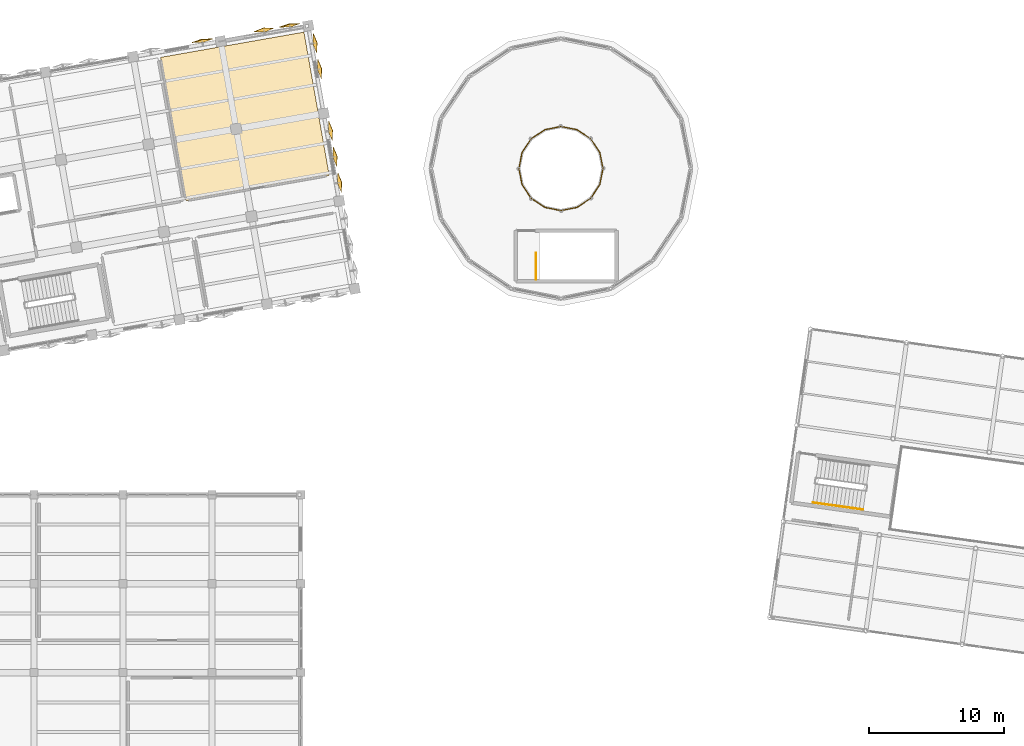
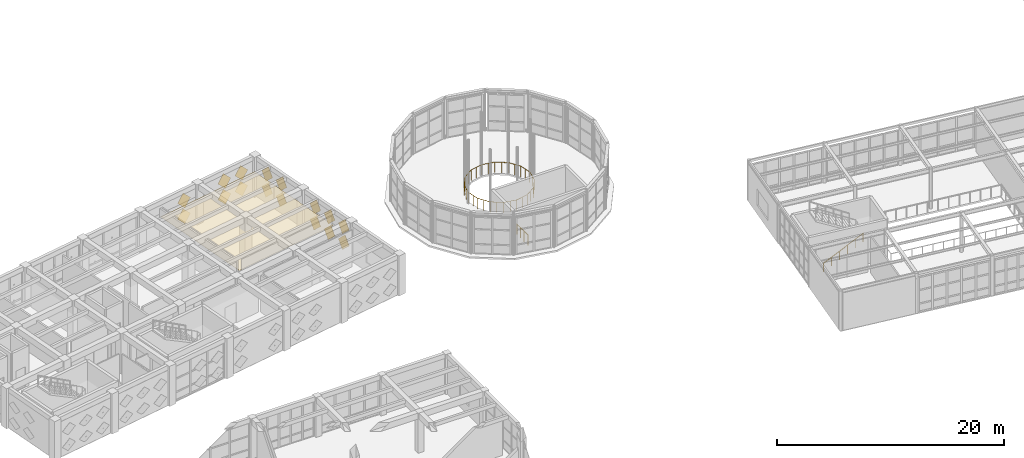
# One storey, part 77 of 80: 17 coverings, 4 railings.
"""IFC4 building model written with IfcOpenShell, lengths in metres."""

from ifc_helpers import new_model, si_unit, direction, frame, origin, origin_2d, place, context, subcontext, project, spatial, polyline, circle, outline, extrude, material, layer, layer_set, type_object, element, save


model = new_model("IFC4")

# Units and contexts
model_context = context("Model", 3, precision=1e-05, world=origin(), true_north=direction((0.0, 1.0)))
body_context = subcontext(model_context, "Body", "Model", "MODEL_VIEW")
ifc_project = project(units=[si_unit("LENGTHUNIT", "METRE"), si_unit("AREAUNIT", "SQUARE_METRE"), si_unit("VOLUMEUNIT", "CUBIC_METRE"), si_unit("PLANEANGLEUNIT", "RADIAN"), si_unit("MASSUNIT", "GRAM", prefix="KILO")], contexts=[model_context])

# Site, building, storey
site_placement = place(None, origin())
site = spatial("IfcSite", under=ifc_project, at=site_placement, CompositionType="ELEMENT")
building_placement = place(site_placement, origin())
building = spatial("IfcBuilding", under=site, at=building_placement, Name="Kharisveld Research Institute", CompositionType="ELEMENT")
storey_placement = place(building_placement, frame((0.0, 0.0, 5.10009765625)))
storey = spatial("IfcBuildingStorey", under=building, at=storey_placement, Name="L01", CompositionType="ELEMENT", Elevation=5.10009765625)

# Covering
ifc_material_1 = material(Name="Mineral-Fibre Acoustic Ceiling", Category="mineral")
ifc_layer = layer(ifc_material_1, 0.02490234375)
ifc_layer_set = layer_set([ifc_layer], Name="CV_CEIL_AC")
covering_type_1 = type_object("IfcCoveringType", Name="CV_CEIL_AC", PredefinedType="CEILING", material=ifc_layer_set)
covering_1_placement = place(storey_placement, frame((0.0, 0.0, 2.7998046875)))
element("IfcCovering", 1, at=covering_1_placement, inside=storey, type_object=covering_type_1, Name="COV:RM:V1:L01:N3:CEIL", PredefinedType="CEILING", context=body_context, shape_type="SweptSolid", body=[
    extrude(outline(polyline([(31.675048828125, 48.410888671875), (42.31103515625, 50.286376953125), (40.435791015625, 60.92236328125), (29.7998046875, 59.046875), (31.675048828125, 48.410888671875)])), origin(), (0.0, 0.0, 1.0), 0.025146484375),
])

# Railings
ifc_material_2 = material(Name="Laminated Glass and Stainless Steel", Category="steel")
railing_type_1 = type_object("IfcRailingType", Name="RL_BAL_ATR", PredefinedType="BALUSTRADE", material=ifc_material_2)
railing_1_placement = place(storey_placement, frame((62.6201171875, 50.800048828125, 0.0)))
element("IfcRailing", 2, at=railing_1_placement, inside=storey, type_object=railing_type_1, Name="RLG:V6:L01:VOID_A", PredefinedType="BALUSTRADE", context=body_context, shape_type="SweptSolid", body=[
    extrude(circle(Radius=0.02392578125, at=origin_2d()), frame((0.0, 0.0, 1.1259765625), z_axis=(-0.195151775476, 0.980773054549, 0.0), x_axis=(-0.980773054549, -0.195151775476, 0.0)), (0.0, 0.0, 1.0), 1.21728515625),
    extrude(circle(Radius=0.02392578125, at=origin_2d()), frame((-0.237548828125, 1.19384765625, 1.1259765625), z_axis=(-0.555671622345, 0.831401857179, 0.0), x_axis=(-0.831401857179, -0.555671622345, 0.0)), (0.0, 0.0, 1.0), 1.217529296875),
    extrude(circle(Radius=0.02392578125, at=origin_2d()), frame((-0.9140625, 2.2060546875, 1.1259765625), z_axis=(-0.831339923519, 0.555764276977, 0.0), x_axis=(-0.555764276977, -0.831339923519, 0.0)), (0.0, 0.0, 1.0), 1.21728515625),
    extrude(circle(Radius=0.02392578125, at=origin_2d()), frame((-1.926025390625, 2.882568359375, 1.1259765625), z_axis=(-0.980819046927, 0.194920489391, 0.0), x_axis=(-0.194920489391, -0.980819046927, 0.0)), (0.0, 0.0, 1.0), 1.217529296875),
    extrude(circle(Radius=0.02392578125, at=origin_2d()), frame((-3.1201171875, 3.119873046875, 1.1259765625), z_axis=(-0.980819046927, -0.194920489391, 0.0), x_axis=(0.194920489391, -0.980819046927, 0.0)), (0.0, 0.0, 1.0), 1.217529296875),
    extrude(circle(Radius=0.02392578125, at=origin_2d()), frame((-4.314208984375, 2.882568359375, 1.1259765625), z_axis=(-0.831339923519, -0.555764276977, 0.0), x_axis=(0.555764276977, -0.831339923519, 0.0)), (0.0, 0.0, 1.0), 1.21728515625),
    extrude(circle(Radius=0.02392578125, at=origin_2d()), frame((-5.326171875, 2.2060546875, 1.1259765625), z_axis=(-0.555671622345, -0.831401857179, 0.0), x_axis=(0.831401857179, -0.555671622345, 0.0)), (0.0, 0.0, 1.0), 1.217529296875),
    extrude(circle(Radius=0.02392578125, at=origin_2d()), frame((-6.002685546875, 1.19384765625, 1.1259765625), z_axis=(-0.195151775476, -0.980773054549, 0.0), x_axis=(0.980773054549, -0.195151775476, 0.0)), (0.0, 0.0, 1.0), 1.21728515625),
    extrude(circle(Radius=0.02099609375, at=origin_2d()), origin(), (0.0, 0.0, 1.0), 1.101806640625),
    extrude(circle(Radius=0.02099609375, at=origin_2d()), frame((-0.11865234375, 0.596923828125, 0.0)), (0.0, 0.0, 1.0), 1.101806640625),
    extrude(circle(Radius=0.02099609375, at=origin_2d()), frame((-0.237548828125, 1.19384765625, 0.0)), (0.0, 0.0, 1.0), 1.101806640625),
    extrude(circle(Radius=0.02099609375, at=origin_2d()), frame((-0.57568359375, 1.699951171875, 0.0)), (0.0, 0.0, 1.0), 1.101806640625),
    extrude(circle(Radius=0.02099609375, at=origin_2d()), frame((-0.9140625, 2.2060546875, 0.0)), (0.0, 0.0, 1.0), 1.101806640625),
    extrude(circle(Radius=0.02099609375, at=origin_2d()), frame((-1.419921875, 2.54443359375, 0.0)), (0.0, 0.0, 1.0), 1.101806640625),
    extrude(circle(Radius=0.02099609375, at=origin_2d()), frame((-1.926025390625, 2.882568359375, 0.0)), (0.0, 0.0, 1.0), 1.101806640625),
    extrude(circle(Radius=0.02099609375, at=origin_2d()), frame((-2.52294921875, 3.001220703125, 0.0)), (0.0, 0.0, 1.0), 1.101806640625),
    extrude(circle(Radius=0.02099609375, at=origin_2d()), frame((-3.1201171875, 3.119873046875, 0.0)), (0.0, 0.0, 1.0), 1.101806640625),
    extrude(circle(Radius=0.02099609375, at=origin_2d()), frame((-3.71728515625, 3.001220703125, 0.0)), (0.0, 0.0, 1.0), 1.101806640625),
    extrude(circle(Radius=0.02099609375, at=origin_2d()), frame((-4.314208984375, 2.882568359375, 0.0)), (0.0, 0.0, 1.0), 1.101806640625),
    extrude(circle(Radius=0.02099609375, at=origin_2d()), frame((-4.8203125, 2.54443359375, 0.0)), (0.0, 0.0, 1.0), 1.101806640625),
    extrude(circle(Radius=0.02099609375, at=origin_2d()), frame((-5.326171875, 2.2060546875, 0.0)), (0.0, 0.0, 1.0), 1.101806640625),
    extrude(circle(Radius=0.02099609375, at=origin_2d()), frame((-5.66455078125, 1.699951171875, 0.0)), (0.0, 0.0, 1.0), 1.101806640625),
    extrude(circle(Radius=0.02099609375, at=origin_2d()), frame((-6.002685546875, 1.19384765625, 0.0)), (0.0, 0.0, 1.0), 1.101806640625),
    extrude(circle(Radius=0.02099609375, at=origin_2d()), frame((-6.12158203125, 0.596923828125, 0.0)), (0.0, 0.0, 1.0), 1.101806640625),
    extrude(circle(Radius=0.02099609375, at=origin_2d()), frame((-6.240234375, 0.0, 0.0)), (0.0, 0.0, 1.0), 1.101806640625),
])
railing_2_placement = place(storey_placement, frame((56.3798828125, 50.800048828125, 0.0)))
element("IfcRailing", 3, at=railing_2_placement, inside=storey, type_object=railing_type_1, Name="RLG:V6:L01:VOID_B", PredefinedType="BALUSTRADE", context=body_context, shape_type="SweptSolid", body=[
    extrude(circle(Radius=0.02392578125, at=origin_2d()), frame((0.0, 0.0, 1.1259765625), z_axis=(0.195113394415, -0.980780690736, 0.0), x_axis=(0.980780690736, 0.195113394415, 0.0)), (0.0, 0.0, 1.0), 1.217529296875),
    extrude(circle(Radius=0.02392578125, at=origin_2d()), frame((0.237548828125, -1.194091796875, 1.1259765625), z_axis=(0.555671622345, -0.831401857179, 0.0), x_axis=(0.831401857179, 0.555671622345, 0.0)), (0.0, 0.0, 1.0), 1.217529296875),
    extrude(circle(Radius=0.02392578125, at=origin_2d()), frame((0.9140625, -2.206298828125, 1.1259765625), z_axis=(0.831432588919, -0.555625638433, 0.0), x_axis=(0.555625638433, 0.831432588919, 0.0)), (0.0, 0.0, 1.0), 1.217041015625),
    extrude(circle(Radius=0.02392578125, at=origin_2d()), frame((1.926025390625, -2.882568359375, 1.1259765625), z_axis=(0.980780690736, -0.195113394415, 0.0), x_axis=(0.195113394415, 0.980780690736, 0.0)), (0.0, 0.0, 1.0), 1.217529296875),
    extrude(circle(Radius=0.02392578125, at=origin_2d()), frame((3.1201171875, -3.1201171875, 1.1259765625), z_axis=(0.980780690736, 0.195113394415, 0.0), x_axis=(-0.195113394415, 0.980780690736, 0.0)), (0.0, 0.0, 1.0), 1.217529296875),
    extrude(circle(Radius=0.02392578125, at=origin_2d()), frame((4.314208984375, -2.882568359375, 1.1259765625), z_axis=(0.831432588919, 0.555625638433, 0.0), x_axis=(-0.555625638433, 0.831432588919, 0.0)), (0.0, 0.0, 1.0), 1.217041015625),
    extrude(circle(Radius=0.02392578125, at=origin_2d()), frame((5.326171875, -2.206298828125, 1.1259765625), z_axis=(0.555671622345, 0.831401857179, 0.0), x_axis=(-0.831401857179, 0.555671622345, 0.0)), (0.0, 0.0, 1.0), 1.217529296875),
    extrude(circle(Radius=0.02392578125, at=origin_2d()), frame((6.002685546875, -1.194091796875, 1.1259765625), z_axis=(0.195113394415, 0.980780690736, 0.0), x_axis=(-0.980780690736, 0.195113394415, 0.0)), (0.0, 0.0, 1.0), 1.217529296875),
    extrude(circle(Radius=0.02099609375, at=origin_2d()), origin(), (0.0, 0.0, 1.0), 1.101806640625),
    extrude(circle(Radius=0.02099609375, at=origin_2d()), frame((0.11865234375, -0.59716796875, 0.0)), (0.0, 0.0, 1.0), 1.101806640625),
    extrude(circle(Radius=0.02099609375, at=origin_2d()), frame((0.237548828125, -1.194091796875, 0.0)), (0.0, 0.0, 1.0), 1.101806640625),
    extrude(circle(Radius=0.02099609375, at=origin_2d()), frame((0.57568359375, -1.7001953125, 0.0)), (0.0, 0.0, 1.0), 1.101806640625),
    extrude(circle(Radius=0.02099609375, at=origin_2d()), frame((0.9140625, -2.206298828125, 0.0)), (0.0, 0.0, 1.0), 1.101806640625),
    extrude(circle(Radius=0.02099609375, at=origin_2d()), frame((1.419921875, -2.54443359375, 0.0)), (0.0, 0.0, 1.0), 1.101806640625),
    extrude(circle(Radius=0.02099609375, at=origin_2d()), frame((1.926025390625, -2.882568359375, 0.0)), (0.0, 0.0, 1.0), 1.101806640625),
    extrude(circle(Radius=0.02099609375, at=origin_2d()), frame((2.52294921875, -3.00146484375, 0.0)), (0.0, 0.0, 1.0), 1.101806640625),
    extrude(circle(Radius=0.02099609375, at=origin_2d()), frame((3.1201171875, -3.1201171875, 0.0)), (0.0, 0.0, 1.0), 1.101806640625),
    extrude(circle(Radius=0.02099609375, at=origin_2d()), frame((3.71728515625, -3.00146484375, 0.0)), (0.0, 0.0, 1.0), 1.101806640625),
    extrude(circle(Radius=0.02099609375, at=origin_2d()), frame((4.314208984375, -2.882568359375, 0.0)), (0.0, 0.0, 1.0), 1.101806640625),
    extrude(circle(Radius=0.02099609375, at=origin_2d()), frame((4.8203125, -2.54443359375, 0.0)), (0.0, 0.0, 1.0), 1.101806640625),
    extrude(circle(Radius=0.02099609375, at=origin_2d()), frame((5.326171875, -2.206298828125, 0.0)), (0.0, 0.0, 1.0), 1.101806640625),
    extrude(circle(Radius=0.02099609375, at=origin_2d()), frame((5.66455078125, -1.7001953125, 0.0)), (0.0, 0.0, 1.0), 1.101806640625),
    extrude(circle(Radius=0.02099609375, at=origin_2d()), frame((6.002685546875, -1.194091796875, 0.0)), (0.0, 0.0, 1.0), 1.101806640625),
    extrude(circle(Radius=0.02099609375, at=origin_2d()), frame((6.12158203125, -0.59716796875, 0.0)), (0.0, 0.0, 1.0), 1.101806640625),
    extrude(circle(Radius=0.02099609375, at=origin_2d()), frame((6.240234375, 0.0, 0.0)), (0.0, 0.0, 1.0), 1.101806640625),
])
ifc_material_3 = material(Name="Steel S355JR", Category="steel")
railing_type_2 = type_object("IfcRailingType", Name="RL_GRD_STR", PredefinedType="GUARDRAIL", material=ifc_material_3)
railing_3_placement = place(storey_placement, frame((57.659912109375, 42.580078125, 0.0)))
element("IfcRailing", 4, at=railing_3_placement, inside=storey, type_object=railing_type_2, Name="RLG:STR:ST7:L01:TOPVOID", PredefinedType="GUARDRAIL", context=body_context, shape_type="SweptSolid", body=[
    extrude(circle(Radius=0.02392578125, at=origin_2d()), frame((0.0, 0.0, 1.09619140625), z_axis=(0.0, 1.0, 0.0), x_axis=(-1.0, 0.0, 0.0)), (0.0, 0.0, 1.0), 1.93994140625),
    extrude(circle(Radius=0.02099609375, at=origin_2d()), origin(), (0.0, 0.0, 1.0), 1.072021484375),
    extrude(circle(Radius=0.02099609375, at=origin_2d()), frame((0.0, 0.646728515625, 0.0)), (0.0, 0.0, 1.0), 1.072021484375),
    extrude(circle(Radius=0.02099609375, at=origin_2d()), frame((0.0, 1.293212890625, 0.0)), (0.0, 0.0, 1.0), 1.072021484375),
    extrude(circle(Radius=0.02099609375, at=origin_2d()), frame((0.0, 1.93994140625, 0.0)), (0.0, 0.0, 1.0), 1.072021484375),
])
ifc_material_4 = material(Name="Stainless Steel 316", Category="steel")
railing_type_3 = type_object("IfcRailingType", Name="RL_HND_STR", PredefinedType="HANDRAIL", material=ifc_material_4)
railing_4_placement = place(storey_placement, frame((78.186767578125, 26.019287109375, 0.0)))
element("IfcRailing", 5, at=railing_4_placement, inside=storey, type_object=railing_type_3, Name="RLG:ST5:L01:HR1", PredefinedType="HANDRAIL", context=body_context, shape_type="SweptSolid", body=[
    extrude(circle(Radius=0.02392578125, at=origin_2d()), frame((0.0, 0.0, 0.89599609375), z_axis=(0.850330346205, -0.1195055859, 0.512500455865), x_axis=(0.139172472021, 0.990268157133, 0.0)), (0.0, 0.0, 1.0), 4.39013671875),
    extrude(circle(Radius=0.02099609375, at=origin_2d()), origin(), (0.0, 0.0, 1.0), 0.871826171875),
    extrude(circle(Radius=0.02099609375, at=origin_2d()), frame((0.74658203125, -0.10498046875, 0.449951171875)), (0.0, 0.0, 1.0), 0.871826171875),
    extrude(circle(Radius=0.02099609375, at=origin_2d()), frame((1.4931640625, -0.2099609375, 0.89990234375)), (0.0, 0.0, 1.0), 0.871826171875),
    extrude(circle(Radius=0.02099609375, at=origin_2d()), frame((2.239990234375, -0.314697265625, 1.35009765625)), (0.0, 0.0, 1.0), 0.871826171875),
    extrude(circle(Radius=0.02099609375, at=origin_2d()), frame((2.986572265625, -0.419677734375, 1.800048828125)), (0.0, 0.0, 1.0), 0.871826171875),
    extrude(circle(Radius=0.02099609375, at=origin_2d()), frame((3.733154296875, -0.524658203125, 2.25)), (0.0, 0.0, 1.0), 0.871826171875),
])

# Coverings
ifc_material_5 = material(Name="White Powder-Coated Perforated Aluminium", Category="aluminium")
covering_type_2 = type_object("IfcCoveringType", Name="CV_DIA_105", PredefinedType="CLADDING")
covering_2_placement = place(storey_placement, frame((32.910400390625, 60.14111328125, 0.317626953125), z_axis=(0.171233254714, -0.971294692931, 0.165123565742), x_axis=(0.676169128139, 0.237752993267, 0.697329781628)))
element("IfcCovering", 6, at=covering_2_placement, inside=storey, type_object=covering_type_2, material=ifc_material_5, Name="SHD:V1:L01:N4:S2C0", PredefinedType="CLADDING", context=body_context, shape_type="SweptSolid", body=[
    extrude(outline(polyline([(0.0, 0.0), (1.0499451657341914, 1.1102230246251565e-16), (1.0498265314699664, 1.0502581666436772), (-0.00018184560376499626, 1.049914834746207), (0.0, 0.0)])), origin(), (0.0, 0.0, -1.0), 0.02392578125),
])
covering_3_placement = place(storey_placement, frame((32.910400390625, 60.14111328125, 2.017578125), z_axis=(0.171233254714, -0.971294692931, 0.165123565742), x_axis=(0.676052923988, 0.237751732699, 0.697442870468)))
element("IfcCovering", 7, at=covering_3_placement, inside=storey, type_object=covering_type_2, material=ifc_material_5, Name="SHD:V1:L01:N4:S2C1", PredefinedType="CLADDING", context=body_context, shape_type="SweptSolid", body=[
    extrude(outline(polyline([(0.0, 0.0), (1.0501154260688186, -1.1102230246251565e-16), (1.0499968217476066, 1.050087918747723), (0.000158676943865399, 1.050085103755264), (0.0, 0.0)])), origin(), (0.0, 0.0, -1.0), 0.02392578125),
])
for number, where, z_axis, x_axis, name in (
    (8, (37.4931640625, 60.910400390625, 0.324951171875), (0.169497253476, -0.961447488939, 0.216539620108), (0.669709514325, 0.273559622879, 0.690401549211), "SHD:V1:L01:N5:S1C0"),
    (9, (37.4931640625, 60.910400390625, 2.025146484375), (0.169497253476, -0.961447488939, 0.216539620108), (0.669709514325, 0.273559622879, 0.690401549211), "SHD:V1:L01:N5:S1C1"),
):
    element("IfcCovering", number, at=place(storey_placement, frame(where, z_axis=z_axis, x_axis=x_axis)), inside=storey, type_object=covering_type_2, material=ifc_material_5, Name=name, PredefinedType="CLADDING", context=body_context, shape_type="SweptSolid", body=[
        extrude(outline(polyline([(0.0, 0.0), (1.0498710247482905, 1.1102230246251565e-16), (1.0500604861589913, 1.0499603082606803), (-4.0828905999434895e-05, 1.0501299918190874), (0.0, 0.0)])), origin(), (0.0, 0.0, -1.0), 0.02392578125),
    ])
covering_4_placement = place(storey_placement, frame((39.41015625, 61.287109375, 0.317626953125), z_axis=(0.171260983897, -0.971289803558, 0.165123568578), x_axis=(0.676047594671, 0.237771051008, 0.69744145062)))
element("IfcCovering", 10, at=covering_4_placement, inside=storey, type_object=covering_type_2, material=ifc_material_5, Name="SHD:V1:L01:N5:S2C0", PredefinedType="CLADDING", context=body_context, shape_type="SweptSolid", body=[
    extrude(outline(polyline([(0.0, 0.0), (1.0498381477776833, -1.1102230246251565e-16), (1.0499996344353992, 1.0500851062964023), (4.926243906100414e-05, 1.0499129451252003), (0.0, 0.0)])), origin(), (0.0, 0.0, -1.0), 0.02392578125),
])
covering_5_placement = place(storey_placement, frame((39.41015625, 61.287109375, 2.017578125), z_axis=(0.171260983897, -0.971289803558, 0.165123568578), x_axis=(0.67593137977, 0.237769781024, 0.697554514769)))
element("IfcCovering", 11, at=covering_5_placement, inside=storey, type_object=covering_type_2, material=ifc_material_5, Name="SHD:V1:L01:N5:S2C1", PredefinedType="CLADDING", context=body_context, shape_type="SweptSolid", body=[
    extrude(outline(polyline([(0.0, 0.0), (1.0500084353722339, -1.1102230246251565e-16), (1.0501698867361986, 1.0499148402477598), (0.00038980202211746917, 1.050083149396377), (0.0, 0.0)])), origin(), (0.0, 0.0, -1.0), 0.02392578125),
])
for number, where, z_axis, x_axis, name in (
    (12, (41.091796875, 60.07666015625, 0.324951171875), (-0.961476347302, -0.169530643305, 0.21638529192), (0.273471090272, -0.669725119033, 0.690421485559), "SHD:V1:L01:E3:S0C0"),
    (13, (41.091796875, 60.07666015625, 2.025146484375), (-0.961476347302, -0.169530643305, 0.21638529192), (0.273471090272, -0.669725119033, 0.690421485559), "SHD:V1:L01:E3:S0C1"),
):
    element("IfcCovering", number, at=place(storey_placement, frame(where, z_axis=z_axis, x_axis=x_axis)), inside=storey, type_object=covering_type_2, material=ifc_material_5, Name=name, PredefinedType="CLADDING", context=body_context, shape_type="SweptSolid", body=[
        extrude(outline(polyline([(0.0, 0.0), (1.0498710291992122, 0.0), (1.0499937163043682, 1.0499534820137317), (0.00012268710515594972, 1.049953482013732), (0.0, 0.0)])), origin(), (0.0, 0.0, -1.0), 0.02392578125),
    ])
for number, where, z_axis, x_axis, name in (
    (14, (41.430908203125, 58.153076171875, 0.324951171875), (-0.961425979727, -0.169653966706, 0.216512394765), (0.27364360613, -0.669810730042, 0.69027006508), "SHD:V1:L01:E3:S1C0"),
    (15, (41.430908203125, 58.153076171875, 2.025146484375), (-0.961425979727, -0.169653966706, 0.216512394765), (0.27364360613, -0.669810730042, 0.69027006508), "SHD:V1:L01:E3:S1C1"),
):
    element("IfcCovering", number, at=place(storey_placement, frame(where, z_axis=z_axis, x_axis=x_axis)), inside=storey, type_object=covering_type_2, material=ifc_material_5, Name=name, PredefinedType="CLADDING", context=body_context, shape_type="SweptSolid", body=[
        extrude(outline(polyline([(0.0, 0.0), (1.0501013332243323, 1.1102230246251565e-16), (1.050054335240126, 1.049953488129867), (-4.699798420648715e-05, 1.049953488129867), (0.0, 0.0)])), origin(), (0.0, 0.0, -1.0), 0.02392578125),
    ])
for number, where, z_axis, x_axis, name in (
    (16, (42.23779296875, 53.576904296875, 0.324951171875), (-0.961415183851, -0.169680388935, 0.216539626561), (0.273686222093, -0.669682514552, 0.690377564481), "SHD:V1:L01:E2:S0C0"),
    (17, (42.23779296875, 53.576904296875, 2.025146484375), (-0.961415183851, -0.169680388935, 0.216539626561), (0.273686222093, -0.669682514552, 0.690377564481), "SHD:V1:L01:E2:S0C1"),
):
    element("IfcCovering", number, at=place(storey_placement, frame(where, z_axis=z_axis, x_axis=x_axis)), inside=storey, type_object=covering_type_2, material=ifc_material_5, Name=name, PredefinedType="CLADDING", context=body_context, shape_type="SweptSolid", body=[
        extrude(outline(polyline([(0.0, 0.0), (1.0499378208641543, -1.1102230246251565e-16), (1.0500673125274043, 1.0499534811965692), (0.00012949166324993655, 1.0499534811965692), (0.0, 0.0)])), origin(), (0.0, 0.0, -1.0), 0.02392578125),
    ])
for number, where, z_axis, x_axis, name in (
    (18, (42.5771484375, 51.6533203125, 0.324951171875), (-0.961481187298, -0.169503194288, 0.216385289699), (0.273447448775, -0.669849989418, 0.690309701826), "SHD:V1:L01:E2:S1C0"),
    (19, (42.5771484375, 51.6533203125, 2.025146484375), (-0.961481187298, -0.169503194288, 0.216385289699), (0.273447448775, -0.669849989418, 0.690309701826), "SHD:V1:L01:E2:S1C1"),
):
    element("IfcCovering", number, at=place(storey_placement, frame(where, z_axis=z_axis, x_axis=x_axis)), inside=storey, type_object=covering_type_2, material=ifc_material_5, Name=name, PredefinedType="CLADDING", context=body_context, shape_type="SweptSolid", body=[
        extrude(outline(polyline([(0.0, 0.0), (1.0500345517563856, -1.1102230246251565e-16), (1.0498172010450848, 1.0501299743656882), (-5.381311622809637e-05, 1.0499534875988095), (0.0, 0.0)])), origin(), (0.0, 0.0, -1.0), 0.02392578125),
    ])
for number, where, z_axis, x_axis, name in (
    (20, (42.916259765625, 49.729736328125, 0.324951171875), (-0.961487125864, -0.169504241221, 0.216358080518), (0.27342850239, -0.669853329409, 0.690313965642), "SHD:V1:L01:E2:S2C0"),
    (21, (42.916259765625, 49.729736328125, 2.025146484375), (-0.961487125864, -0.169504241221, 0.216358080518), (0.27342850239, -0.669853329409, 0.690313965642), "SHD:V1:L01:E2:S2C1"),
):
    element("IfcCovering", number, at=place(storey_placement, frame(where, z_axis=z_axis, x_axis=x_axis)), inside=storey, type_object=covering_type_2, material=ifc_material_5, Name=name, PredefinedType="CLADDING", context=body_context, shape_type="SweptSolid", body=[
        extrude(outline(polyline([(0.0, 0.0), (1.0500345519602505, 0.0), (1.0499807392517624, 1.0499534878027108), (-5.381270848814346e-05, 1.049953487802711), (0.0, 0.0)])), origin(), (0.0, 0.0, -1.0), 0.02392578125),
    ])

save(model, "model.ifc")
